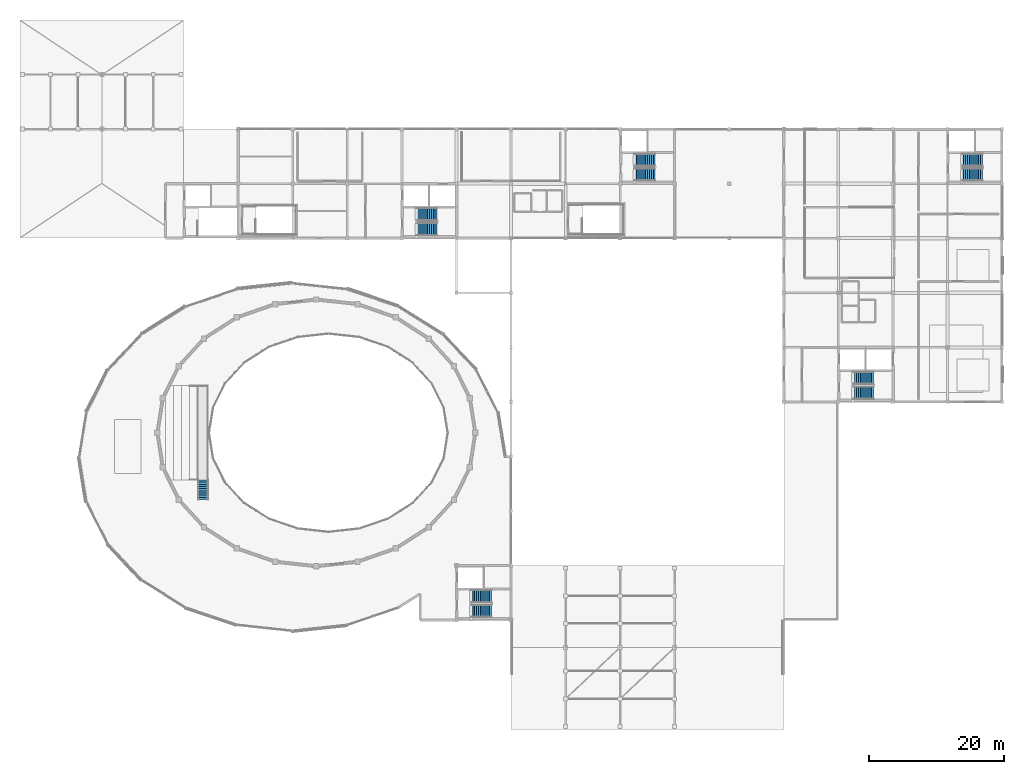
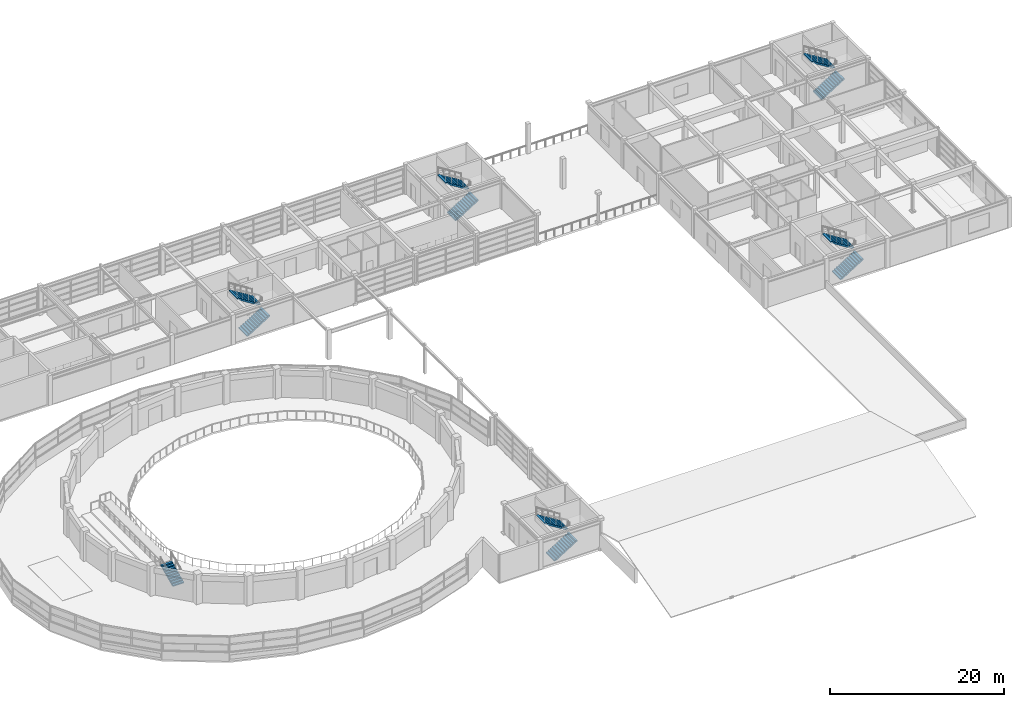
# One storey, part 46 of 54: 11 stair flights, 6 elements without a shape of their own.
"""IFC4 building model written with IfcOpenShell, lengths in metres."""

import ifcopenshell
import ifcopenshell.guid

model = None  # the IFC model being written
_history = None  # IfcOwnerHistory: only IFC2X3 demands one
_inside = {}  # id of a spatial element -> (the spatial element, [elements in it])
_under = {}  # id of a project, library or spatial element -> (it, [spatial elements below it])
_declared = {}  # id of a project -> (the project, [libraries it declares])
_typed = {}  # id of a type object -> (the type object, [elements of that type])
_made_of = {}  # id of a material, layer set ... -> (it, [elements and type objects made of it])


def new_model(schema):
    """Start an empty IFC model of exactly this schema.

    Asked for "IFC4X3", IfcOpenShell would pick the latest addendum, in which some entities
    have other attributes; the version numbers below select the first issue.
    IFC2X3 requires an IfcOwnerHistory on every rooted entity: one is made here for all.
    """
    global model, _history
    if schema == "IFC4X3":
        model = ifcopenshell.file(schema_version=(4, 3, 0, 0))
    else:
        model = ifcopenshell.file(schema=schema)
    _inside.clear()
    _under.clear()
    _declared.clear()
    _typed.clear()
    _made_of.clear()
    _history = None
    if model.schema == "IFC2X3":
        org = make("IfcOrganization", Name="unknown")
        user = make(
            "IfcPersonAndOrganization",
            ThePerson=make("IfcPerson", FamilyName="unknown"),
            TheOrganization=org,
        )
        app = make(
            "IfcApplication",
            ApplicationDeveloper=org,
            Version="unknown",
            ApplicationFullName="unknown",
            ApplicationIdentifier="unknown",
        )
        _history = make(
            "IfcOwnerHistory",
            OwningUser=user,
            OwningApplication=app,
            ChangeAction="ADDED",
            CreationDate=0,
        )
    return model


def make(cls, **values):
    """One entity of the class cls with the attributes given. An attribute that is None is left unset."""
    return model.create_entity(
        cls, **{name: value for name, value in values.items() if value is not None}
    )


def rooted(cls, **values):
    """An entity with a GlobalId (a new one), such as an element, a storey or a relation."""
    return make(cls, GlobalId=ifcopenshell.guid.new(), OwnerHistory=_history, **values)


def si_unit(unit_type, name, prefix=None):
    """IfcSIUnit, for example si_unit("LENGTHUNIT", "METRE", prefix="MILLI")."""
    return make("IfcSIUnit", UnitType=unit_type, Prefix=prefix, Name=name)


def assignment(units):
    """IfcUnitAssignment: the units of a project."""
    return None if units is None else make("IfcUnitAssignment", Units=units)


def point(xyz):
    """IfcCartesianPoint."""
    return None if xyz is None else make("IfcCartesianPoint", Coordinates=xyz)


def direction(xyz):
    """IfcDirection."""
    return None if xyz is None else make("IfcDirection", DirectionRatios=xyz)


def frame(location, z_axis=None, x_axis=None):
    """IfcAxis2Placement3D, a coordinate frame: its origin and axes. An axis left out is left unset."""
    return make(
        "IfcAxis2Placement3D",
        Location=point(location),
        Axis=direction(z_axis),
        RefDirection=direction(x_axis),
    )


def origin():
    """The frame at (0, 0, 0) with its axes left unset."""
    return frame((0.0, 0.0, 0.0))


def place(relative_to, where):
    """IfcLocalPlacement: puts the frame where relative to a parent placement (None: the world)."""
    return make(
        "IfcLocalPlacement", PlacementRelTo=relative_to, RelativePlacement=where
    )


def context(
    kind, dimensions, precision=None, world=None, true_north=None, identifier=None
):
    """IfcGeometricRepresentationContext, for example the 3D "Model" context."""
    return make(
        "IfcGeometricRepresentationContext",
        ContextIdentifier=identifier,
        ContextType=kind,
        CoordinateSpaceDimension=dimensions,
        Precision=precision,
        WorldCoordinateSystem=world,
        TrueNorth=true_north,
    )


def subcontext(parent, identifier, kind, view, scale=None):
    """IfcGeometricRepresentationSubContext, for example "Body" below "Model"."""
    return make(
        "IfcGeometricRepresentationSubContext",
        ContextIdentifier=identifier,
        ContextType=kind,
        ParentContext=parent,
        TargetScale=scale,
        TargetView=view,
    )


def project(units=None, contexts=None):
    """IfcProject with its units and contexts."""
    return rooted(
        "IfcProject",
        Name="project",
        RepresentationContexts=contexts,
        UnitsInContext=assignment(units),
    )


def spatial(cls, under=None, at=None, **own):
    """A site, building, storey or space (cls), placed at a placement, below another one or the project."""
    s = rooted(cls, ObjectPlacement=at, **own)
    if under is not None:
        _under.setdefault(under.id(), (under, []))[1].append(s)
    return s


def polyline(points):
    """IfcPolyline through the points."""
    return make("IfcPolyline", Points=[point(p) for p in points])


def outline(outer, holes=None, kind="AREA"):
    """IfcArbitraryClosedProfileDef: a profile drawn as a closed curve; with holes, ...WithVoids."""
    if holes is None:
        return make("IfcArbitraryClosedProfileDef", ProfileType=kind, OuterCurve=outer)
    return make(
        "IfcArbitraryProfileDefWithVoids",
        ProfileType=kind,
        OuterCurve=outer,
        InnerCurves=holes,
    )


def extrude(swept, where, along, depth):
    """IfcExtrudedAreaSolid: the profile swept, set in the frame where, extruded along a direction by depth."""
    return make(
        "IfcExtrudedAreaSolid",
        SweptArea=swept,
        Position=where,
        ExtrudedDirection=direction(along),
        Depth=depth,
    )


def shape(context_of_items, identifier, shape_type, items):
    """IfcShapeRepresentation: the items that make up one representation, for example the "Body"."""
    return make(
        "IfcShapeRepresentation",
        ContextOfItems=context_of_items,
        RepresentationIdentifier=identifier,
        RepresentationType=shape_type,
        Items=items,
    )


def material(Name=None, Category=None):
    """IfcMaterial."""
    return make("IfcMaterial", Name=Name, Category=Category)


def made_of(thing, what):
    """Note that an element or type object is made of a material, layer set ...; save() writes the relation."""
    if what is not None:
        _made_of.setdefault(what.id(), (what, []))[1].append(thing)
    return thing


def type_object(cls, material=None, **own):
    """A type object (cls), such as IfcWallType, which elements share."""
    return made_of(rooted(cls, **own), material)


def element(
    cls,
    number,
    at=None,
    inside=None,
    cuts=None,
    type_object=None,
    material=None,
    context=None,
    identifier="Body",
    shape_type=None,
    held_by="IfcProductDefinitionShape",
    body=None,
    shapes=None,
    **own,
):
    """One element of the class cls, such as IfcWall. Its Tag is "e" and its number.

    at: its placement. inside: the storey or other place that contains it. cuts: it is an
    opening in that element (IfcRelVoidsElement). A single representation is given by context,
    identifier, shape_type and body (its items); several are given by shapes. held_by: the class
    of the entity that holds the representations. save() writes the other relations.
    """
    e = rooted(cls, Tag="e%d" % number, ObjectPlacement=at, **own)
    if body is not None:
        shapes = [shape(context, identifier, shape_type, body)]
    if shapes is not None:
        e.Representation = make(held_by, Representations=shapes)
    if inside is not None:
        _inside.setdefault(inside.id(), (inside, []))[1].append(e)
    if cuts is not None:
        rooted(
            "IfcRelVoidsElement", RelatingBuildingElement=cuts, RelatedOpeningElement=e
        )
    if type_object is not None:
        _typed.setdefault(type_object.id(), (type_object, []))[1].append(e)
    return made_of(e, material)


def aggregate(whole, parts):
    """IfcRelAggregates: a whole, such as a stair, and the parts it consists of."""
    return rooted("IfcRelAggregates", RelatingObject=whole, RelatedObjects=parts)


def save(model, path):
    """Write the relations noted so far, then the file.

    IfcRelAggregates (storeys below a building ...), IfcRelContainedInSpatialStructure (elements
    in a storey), IfcRelDefinesByType, IfcRelAssociatesMaterial and IfcRelDeclares: one each for
    every whole, place, type object, material and project.
    """
    for whole, parts in _under.values():
        aggregate(whole, parts)
    for where, things in _inside.values():
        rooted(
            "IfcRelContainedInSpatialStructure",
            RelatedElements=things,
            RelatingStructure=where,
        )
    for kind, things in _typed.values():
        rooted("IfcRelDefinesByType", RelatedObjects=things, RelatingType=kind)
    for what, things in _made_of.values():
        rooted("IfcRelAssociatesMaterial", RelatedObjects=things, RelatingMaterial=what)
    for by, libraries in _declared.values():
        rooted("IfcRelDeclares", RelatingContext=by, RelatedDefinitions=libraries)
    model.write(path)


model = new_model("IFC4")

# Units and contexts
model_context = context("Model", 3, precision=1e-05, world=origin(), true_north=direction((0.0, 1.0)))
body_context = subcontext(model_context, "Body", "Model", "MODEL_VIEW")
ifc_project = project(units=[si_unit("LENGTHUNIT", "METRE"), si_unit("AREAUNIT", "SQUARE_METRE"), si_unit("VOLUMEUNIT", "CUBIC_METRE"), si_unit("PLANEANGLEUNIT", "RADIAN"), si_unit("MASSUNIT", "GRAM", prefix="KILO")], contexts=[model_context])

# Site, building, storey
site_placement = place(None, origin())
site = spatial("IfcSite", under=ifc_project, at=site_placement, CompositionType="ELEMENT")
building_placement = place(site_placement, origin())
building = spatial("IfcBuilding", under=site, at=building_placement, Name="Parian Resonance Hall", CompositionType="ELEMENT")
storey_placement = place(building_placement, frame((0.0, 0.0, 15.0)))
storey = spatial("IfcBuildingStorey", under=building, at=storey_placement, Name="L03", CompositionType="ELEMENT", Elevation=15.0)

# Stair, stair flight
ifc_material_1 = material(Name="Concrete C40/50", Category="concrete")
stair_type_1 = type_object("IfcStairType", Name="STAIR-TIER-1480", PredefinedType="STRAIGHT_RUN_STAIR", material=ifc_material_1)
stair_1_placement = place(storey_placement, origin())
stair_1 = element("IfcStair", 1, at=stair_1_placement, inside=storey, type_object=stair_type_1, Name="Auditorium stepped aisle stair ST-T06", PredefinedType="STRAIGHT_RUN_STAIR")
ifc_material_2 = material(Name="Concrete C40/50", Category="concrete")
stair_flight_type_1 = type_object("IfcStairFlightType", Name="FLIGHT-1480", PredefinedType="STRAIGHT", material=ifc_material_2)
stair_flight_1_placement = place(storey_placement, frame((27.179931640625, 34.1201171875, 0.0), z_axis=(0.0, 0.0, 1.0), x_axis=(0.0, 1.0, 0.0)))
stair_flight_1 = element("IfcStairFlight", 2, at=stair_flight_1_placement, type_object=stair_flight_type_1, Name="STT-148 flight 1", NumberOfRisers=10, NumberOfTreads=9, PredefinedType="STRAIGHT", RiserHeight=0.15, TreadLength=0.32, context=body_context, shape_type="SweptSolid", body=[
    extrude(outline(polyline([(0.0, 0.0), (0.0, 0.14990234375), (0.320068359375, 0.14990234375), (0.320068359375, 0.300048828125), (0.639892578125, 0.300048828125), (0.639892578125, 0.449951171875), (0.9599609375, 0.449951171875), (0.9599609375, 0.60009765625), (1.280029296875, 0.60009765625), (1.280029296875, 0.75), (1.60009765625, 0.75), (1.60009765625, 0.89990234375), (1.919921875, 0.89990234375), (1.919921875, 1.050048828125), (2.239990234375, 1.050048828125), (2.239990234375, 1.199951171875), (2.56005859375, 1.199951171875), (2.56005859375, 1.35009765625), (2.8798828125, 1.35009765625), (2.8798828125, 1.5), (2.8798828125, 1.184326171875), (0.353271484375, 0.0), (0.0, 0.0)])), frame((0.0, 0.739990234375, 0.0), z_axis=(0.0, -1.0, 0.0), x_axis=(1.0, 0.0, 0.0)), (0.0, 0.0, 1.0), 1.47998046875),
])
aggregate(stair_1, [stair_flight_1])

# Stair, stair flights
ifc_material_3 = material(Name="Concrete C40/50", Category="concrete")
stair_type_2 = type_object("IfcStairType", Name="STAIR-CORE-1800", PredefinedType="HALF_TURN_STAIR", material=ifc_material_3)
stair_2_placement = place(storey_placement, origin())
stair_2 = element("IfcStair", 3, at=stair_2_placement, inside=storey, type_object=stair_type_2, Name="L03 ST-05", PredefinedType="HALF_TURN_STAIR")
ifc_material_4 = material(Name="Concrete C40/50", Category="concrete")
stair_flight_type_2 = type_object("IfcStairFlightType", Name="FLIGHT-1800", PredefinedType="STRAIGHT", material=ifc_material_4)
stair_flight_2_placement = place(storey_placement, frame((91.219970703125, 82.340087890625, 0.0), z_axis=(0.0, 0.0, 1.0), x_axis=(1.0, 0.0, 0.0)))
stair_flight_2 = element("IfcStairFlight", 4, at=stair_flight_2_placement, type_object=stair_flight_type_2, Name="ST-05 flight 1", NumberOfRisers=12, NumberOfTreads=11, PredefinedType="STRAIGHT", RiserHeight=0.175, TreadLength=0.28, context=body_context, shape_type="SweptSolid", body=[
    extrude(outline(polyline([(0.0, 0.0), (0.0, 0.175048828125), (0.280029296875, 0.175048828125), (0.280029296875, 0.35009765625), (0.56005859375, 0.35009765625), (0.56005859375, 0.52490234375), (0.840087890625, 0.52490234375), (0.840087890625, 0.699951171875), (1.1201171875, 0.699951171875), (1.1201171875, 0.875), (1.39990234375, 0.875), (1.39990234375, 1.050048828125), (1.679931640625, 1.050048828125), (1.679931640625, 1.22509765625), (1.9599609375, 1.22509765625), (1.9599609375, 1.39990234375), (2.239990234375, 1.39990234375), (2.239990234375, 1.574951171875), (2.52001953125, 1.574951171875), (2.52001953125, 1.75), (2.800048828125, 1.75), (2.800048828125, 1.925048828125), (3.080078125, 1.925048828125), (3.080078125, 2.10009765625), (3.080078125, 1.748291015625), (0.28271484375, 0.0), (0.0, 0.0)])), frame((0.0, 0.93994140625, 0.0), z_axis=(0.0, -1.0, 0.0), x_axis=(1.0, 0.0, 0.0)), (0.0, 0.0, 1.0), 1.8798828125),
])
stair_flight_3_placement = place(storey_placement, frame((94.300048828125, 84.52001953125, 2.10009765625), z_axis=(0.0, 0.0, 1.0), x_axis=(-1.0, 0.0, 0.0)))
stair_flight_3 = element("IfcStairFlight", 5, at=stair_flight_3_placement, type_object=stair_flight_type_2, Name="ST-05 flight 2", NumberOfRisers=12, NumberOfTreads=11, PredefinedType="STRAIGHT", RiserHeight=0.175, TreadLength=0.28, context=body_context, shape_type="SweptSolid", body=[
    extrude(outline(polyline([(0.0, 0.0), (0.0, 0.175048828125), (0.280029296875, 0.175048828125), (0.280029296875, 0.35009765625), (0.56005859375, 0.35009765625), (0.56005859375, 0.52490234375), (0.840087890625, 0.52490234375), (0.840087890625, 0.699951171875), (1.1201171875, 0.699951171875), (1.1201171875, 0.875), (1.39990234375, 0.875), (1.39990234375, 1.050048828125), (1.679931640625, 1.050048828125), (1.679931640625, 1.22509765625), (1.9599609375, 1.22509765625), (1.9599609375, 1.39990234375), (2.239990234375, 1.39990234375), (2.239990234375, 1.574951171875), (2.52001953125, 1.574951171875), (2.52001953125, 1.75), (2.800048828125, 1.75), (2.800048828125, 1.925048828125), (3.080078125, 1.925048828125), (3.080078125, 2.10009765625), (3.080078125, 1.748291015625), (0.28271484375, 0.0), (0.0, 0.0)])), frame((0.0, 0.93994140625, 0.0), z_axis=(0.0, -1.0, 0.0), x_axis=(1.0, 0.0, 0.0)), (0.0, 0.0, 1.0), 1.8798828125),
])
aggregate(stair_2, [stair_flight_2, stair_flight_3])

stair_3_placement = place(storey_placement, origin())
stair_3 = element("IfcStair", 6, at=stair_3_placement, inside=storey, type_object=stair_type_2, Name="L03 ST-06", PredefinedType="HALF_TURN_STAIR")
stair_flight_4_placement = place(storey_placement, frame((139.820068359375, 82.340087890625, 0.0), z_axis=(0.0, 0.0, 1.0), x_axis=(1.0, 0.0, 0.0)))
stair_flight_4 = element("IfcStairFlight", 7, at=stair_flight_4_placement, type_object=stair_flight_type_2, Name="ST-06 flight 1", NumberOfRisers=12, NumberOfTreads=11, PredefinedType="STRAIGHT", RiserHeight=0.175, TreadLength=0.28, context=body_context, shape_type="SweptSolid", body=[
    extrude(outline(polyline([(0.0, 0.0), (0.0, 0.175048828125), (0.280029296875, 0.175048828125), (0.280029296875, 0.35009765625), (0.56005859375, 0.35009765625), (0.56005859375, 0.52490234375), (0.840087890625, 0.52490234375), (0.840087890625, 0.699951171875), (1.1201171875, 0.699951171875), (1.1201171875, 0.875), (1.39990234375, 0.875), (1.39990234375, 1.050048828125), (1.679931640625, 1.050048828125), (1.679931640625, 1.22509765625), (1.9599609375, 1.22509765625), (1.9599609375, 1.39990234375), (2.239990234375, 1.39990234375), (2.239990234375, 1.574951171875), (2.52001953125, 1.574951171875), (2.52001953125, 1.75), (2.800048828125, 1.75), (2.800048828125, 1.925048828125), (3.080078125, 1.925048828125), (3.080078125, 2.10009765625), (3.080078125, 1.748291015625), (0.28271484375, 0.0), (0.0, 0.0)])), frame((0.0, 0.93994140625, 0.0), z_axis=(0.0, -1.0, 0.0), x_axis=(1.0, 0.0, 0.0)), (0.0, 0.0, 1.0), 1.8798828125),
])
stair_flight_5_placement = place(storey_placement, frame((142.89990234375, 84.52001953125, 2.10009765625), z_axis=(0.0, 0.0, 1.0), x_axis=(-1.0, 0.0, 0.0)))
stair_flight_5 = element("IfcStairFlight", 8, at=stair_flight_5_placement, type_object=stair_flight_type_2, Name="ST-06 flight 2", NumberOfRisers=12, NumberOfTreads=11, PredefinedType="STRAIGHT", RiserHeight=0.175, TreadLength=0.28, context=body_context, shape_type="SweptSolid", body=[
    extrude(outline(polyline([(0.0, 0.0), (0.0, 0.175048828125), (0.280029296875, 0.175048828125), (0.280029296875, 0.35009765625), (0.56005859375, 0.35009765625), (0.56005859375, 0.52490234375), (0.840087890625, 0.52490234375), (0.840087890625, 0.699951171875), (1.1201171875, 0.699951171875), (1.1201171875, 0.875), (1.39990234375, 0.875), (1.39990234375, 1.050048828125), (1.679931640625, 1.050048828125), (1.679931640625, 1.22509765625), (1.9599609375, 1.22509765625), (1.9599609375, 1.39990234375), (2.239990234375, 1.39990234375), (2.239990234375, 1.574951171875), (2.52001953125, 1.574951171875), (2.52001953125, 1.75), (2.800048828125, 1.75), (2.800048828125, 1.925048828125), (3.080078125, 1.925048828125), (3.080078125, 2.10009765625), (3.080078125, 1.748291015625), (0.28271484375, 0.0), (0.0, 0.0)])), frame((0.0, 0.93994140625, 0.0), z_axis=(0.0, -1.0, 0.0), x_axis=(1.0, 0.0, 0.0)), (0.0, 0.0, 1.0), 1.8798828125),
])
aggregate(stair_3, [stair_flight_4, stair_flight_5])

ifc_material_5 = material(Name="Concrete C40/50", Category="concrete")
stair_type_3 = type_object("IfcStairType", Name="STAIR-CORE-1850", PredefinedType="HALF_TURN_STAIR", material=ifc_material_5)
stair_4_placement = place(storey_placement, origin())
stair_4 = element("IfcStair", 9, at=stair_4_placement, inside=storey, type_object=stair_type_3, Name="L03 ST-01", PredefinedType="HALF_TURN_STAIR")
ifc_material_6 = material(Name="Concrete C40/50", Category="concrete")
stair_flight_type_3 = type_object("IfcStairFlightType", Name="FLIGHT-1850", PredefinedType="STRAIGHT", material=ifc_material_6)
stair_flight_6_placement = place(storey_placement, frame((58.840087890625, 74.25, 0.0), z_axis=(0.0, 0.0, 1.0), x_axis=(1.0, 0.0, 0.0)))
stair_flight_6 = element("IfcStairFlight", 10, at=stair_flight_6_placement, type_object=stair_flight_type_3, Name="ST-01 flight 1", NumberOfRisers=12, NumberOfTreads=11, PredefinedType="STRAIGHT", RiserHeight=0.175, TreadLength=0.28, context=body_context, shape_type="SweptSolid", body=[
    extrude(outline(polyline([(0.0, 0.0), (0.0, 0.175048828125), (0.280029296875, 0.175048828125), (0.280029296875, 0.35009765625), (0.56005859375, 0.35009765625), (0.56005859375, 0.52490234375), (0.840087890625, 0.52490234375), (0.840087890625, 0.699951171875), (1.1201171875, 0.699951171875), (1.1201171875, 0.875), (1.39990234375, 0.875), (1.39990234375, 1.050048828125), (1.679931640625, 1.050048828125), (1.679931640625, 1.22509765625), (1.9599609375, 1.22509765625), (1.9599609375, 1.39990234375), (2.239990234375, 1.39990234375), (2.239990234375, 1.574951171875), (2.52001953125, 1.574951171875), (2.52001953125, 1.75), (2.800048828125, 1.75), (2.800048828125, 1.925048828125), (3.080078125, 1.925048828125), (3.080078125, 2.10009765625), (3.080078125, 1.748291015625), (0.28271484375, 0.0), (0.0, 0.0)])), frame((0.0, 0.949951171875, 0.0), z_axis=(0.0, -1.0, 0.0), x_axis=(1.0, 0.0, 0.0)), (0.0, 0.0, 1.0), 1.89990234375),
])
stair_flight_7_placement = place(storey_placement, frame((61.919921875, 76.449951171875, 2.10009765625), z_axis=(0.0, 0.0, 1.0), x_axis=(-1.0, 0.0, 0.0)))
stair_flight_7 = element("IfcStairFlight", 11, at=stair_flight_7_placement, type_object=stair_flight_type_3, Name="ST-01 flight 2", NumberOfRisers=12, NumberOfTreads=11, PredefinedType="STRAIGHT", RiserHeight=0.175, TreadLength=0.28, context=body_context, shape_type="SweptSolid", body=[
    extrude(outline(polyline([(0.0, 0.0), (0.0, 0.175048828125), (0.280029296875, 0.175048828125), (0.280029296875, 0.35009765625), (0.56005859375, 0.35009765625), (0.56005859375, 0.52490234375), (0.840087890625, 0.52490234375), (0.840087890625, 0.699951171875), (1.1201171875, 0.699951171875), (1.1201171875, 0.875), (1.39990234375, 0.875), (1.39990234375, 1.050048828125), (1.679931640625, 1.050048828125), (1.679931640625, 1.22509765625), (1.9599609375, 1.22509765625), (1.9599609375, 1.39990234375), (2.239990234375, 1.39990234375), (2.239990234375, 1.574951171875), (2.52001953125, 1.574951171875), (2.52001953125, 1.75), (2.800048828125, 1.75), (2.800048828125, 1.925048828125), (3.080078125, 1.925048828125), (3.080078125, 2.10009765625), (3.080078125, 1.748291015625), (0.28271484375, 0.0), (0.0, 0.0)])), frame((0.0, 0.949951171875, 0.0), z_axis=(0.0, -1.0, 0.0), x_axis=(1.0, 0.0, 0.0)), (0.0, 0.0, 1.0), 1.89990234375),
])
aggregate(stair_4, [stair_flight_6, stair_flight_7])

stair_5_placement = place(storey_placement, origin())
stair_5 = element("IfcStair", 12, at=stair_5_placement, inside=storey, type_object=stair_type_3, Name="L03 ST-02", PredefinedType="HALF_TURN_STAIR")
stair_flight_8_placement = place(storey_placement, frame((123.639892578125, 49.949951171875, 0.0), z_axis=(0.0, 0.0, 1.0), x_axis=(1.0, 0.0, 0.0)))
stair_flight_8 = element("IfcStairFlight", 13, at=stair_flight_8_placement, type_object=stair_flight_type_3, Name="ST-02 flight 1", NumberOfRisers=12, NumberOfTreads=11, PredefinedType="STRAIGHT", RiserHeight=0.175, TreadLength=0.28, context=body_context, shape_type="SweptSolid", body=[
    extrude(outline(polyline([(0.0, 0.0), (0.0, 0.175048828125), (0.280029296875, 0.175048828125), (0.280029296875, 0.35009765625), (0.56005859375, 0.35009765625), (0.56005859375, 0.52490234375), (0.840087890625, 0.52490234375), (0.840087890625, 0.699951171875), (1.1201171875, 0.699951171875), (1.1201171875, 0.875), (1.39990234375, 0.875), (1.39990234375, 1.050048828125), (1.679931640625, 1.050048828125), (1.679931640625, 1.22509765625), (1.9599609375, 1.22509765625), (1.9599609375, 1.39990234375), (2.239990234375, 1.39990234375), (2.239990234375, 1.574951171875), (2.52001953125, 1.574951171875), (2.52001953125, 1.75), (2.800048828125, 1.75), (2.800048828125, 1.925048828125), (3.080078125, 1.925048828125), (3.080078125, 2.10009765625), (3.080078125, 1.748291015625), (0.28271484375, 0.0), (0.0, 0.0)])), frame((0.0, 0.949951171875, 0.0), z_axis=(0.0, -1.0, 0.0), x_axis=(1.0, 0.0, 0.0)), (0.0, 0.0, 1.0), 1.89990234375),
])
stair_flight_9_placement = place(storey_placement, frame((126.719970703125, 52.14990234375, 2.10009765625), z_axis=(0.0, 0.0, 1.0), x_axis=(-1.0, 0.0, 0.0)))
stair_flight_9 = element("IfcStairFlight", 14, at=stair_flight_9_placement, type_object=stair_flight_type_3, Name="ST-02 flight 2", NumberOfRisers=12, NumberOfTreads=11, PredefinedType="STRAIGHT", RiserHeight=0.175, TreadLength=0.28, context=body_context, shape_type="SweptSolid", body=[
    extrude(outline(polyline([(0.0, 0.0), (0.0, 0.175048828125), (0.280029296875, 0.175048828125), (0.280029296875, 0.35009765625), (0.56005859375, 0.35009765625), (0.56005859375, 0.52490234375), (0.840087890625, 0.52490234375), (0.840087890625, 0.699951171875), (1.1201171875, 0.699951171875), (1.1201171875, 0.875), (1.39990234375, 0.875), (1.39990234375, 1.050048828125), (1.679931640625, 1.050048828125), (1.679931640625, 1.22509765625), (1.9599609375, 1.22509765625), (1.9599609375, 1.39990234375), (2.239990234375, 1.39990234375), (2.239990234375, 1.574951171875), (2.52001953125, 1.574951171875), (2.52001953125, 1.75), (2.800048828125, 1.75), (2.800048828125, 1.925048828125), (3.080078125, 1.925048828125), (3.080078125, 2.10009765625), (3.080078125, 1.748291015625), (0.28271484375, 0.0), (0.0, 0.0)])), frame((0.0, 0.949951171875, 0.0), z_axis=(0.0, -1.0, 0.0), x_axis=(1.0, 0.0, 0.0)), (0.0, 0.0, 1.0), 1.89990234375),
])
aggregate(stair_5, [stair_flight_8, stair_flight_9])

stair_6_placement = place(storey_placement, origin())
stair_6 = element("IfcStair", 15, at=stair_6_placement, inside=storey, type_object=stair_type_3, Name="L03 ST-03", PredefinedType="HALF_TURN_STAIR")
stair_flight_10_placement = place(storey_placement, frame((66.93994140625, 17.550048828125, 0.0), z_axis=(0.0, 0.0, 1.0), x_axis=(1.0, 0.0, 0.0)))
stair_flight_10 = element("IfcStairFlight", 16, at=stair_flight_10_placement, type_object=stair_flight_type_3, Name="ST-03 flight 1", NumberOfRisers=12, NumberOfTreads=11, PredefinedType="STRAIGHT", RiserHeight=0.175, TreadLength=0.28, context=body_context, shape_type="SweptSolid", body=[
    extrude(outline(polyline([(0.0, 0.0), (0.0, 0.175048828125), (0.280029296875, 0.175048828125), (0.280029296875, 0.35009765625), (0.56005859375, 0.35009765625), (0.56005859375, 0.52490234375), (0.840087890625, 0.52490234375), (0.840087890625, 0.699951171875), (1.1201171875, 0.699951171875), (1.1201171875, 0.875), (1.39990234375, 0.875), (1.39990234375, 1.050048828125), (1.679931640625, 1.050048828125), (1.679931640625, 1.22509765625), (1.9599609375, 1.22509765625), (1.9599609375, 1.39990234375), (2.239990234375, 1.39990234375), (2.239990234375, 1.574951171875), (2.52001953125, 1.574951171875), (2.52001953125, 1.75), (2.800048828125, 1.75), (2.800048828125, 1.925048828125), (3.080078125, 1.925048828125), (3.080078125, 2.10009765625), (3.080078125, 1.748291015625), (0.28271484375, 0.0), (0.0, 0.0)])), frame((0.0, 0.949951171875, 0.0), z_axis=(0.0, -1.0, 0.0), x_axis=(1.0, 0.0, 0.0)), (0.0, 0.0, 1.0), 1.89990234375),
])
stair_flight_11_placement = place(storey_placement, frame((70.02001953125, 19.75, 2.10009765625), z_axis=(0.0, 0.0, 1.0), x_axis=(-1.0, 0.0, 0.0)))
stair_flight_11 = element("IfcStairFlight", 17, at=stair_flight_11_placement, type_object=stair_flight_type_3, Name="ST-03 flight 2", NumberOfRisers=12, NumberOfTreads=11, PredefinedType="STRAIGHT", RiserHeight=0.175, TreadLength=0.28, context=body_context, shape_type="SweptSolid", body=[
    extrude(outline(polyline([(0.0, 0.0), (0.0, 0.175048828125), (0.280029296875, 0.175048828125), (0.280029296875, 0.35009765625), (0.56005859375, 0.35009765625), (0.56005859375, 0.52490234375), (0.840087890625, 0.52490234375), (0.840087890625, 0.699951171875), (1.1201171875, 0.699951171875), (1.1201171875, 0.875), (1.39990234375, 0.875), (1.39990234375, 1.050048828125), (1.679931640625, 1.050048828125), (1.679931640625, 1.22509765625), (1.9599609375, 1.22509765625), (1.9599609375, 1.39990234375), (2.239990234375, 1.39990234375), (2.239990234375, 1.574951171875), (2.52001953125, 1.574951171875), (2.52001953125, 1.75), (2.800048828125, 1.75), (2.800048828125, 1.925048828125), (3.080078125, 1.925048828125), (3.080078125, 2.10009765625), (3.080078125, 1.748291015625), (0.28271484375, 0.0), (0.0, 0.0)])), frame((0.0, 0.949951171875, 0.0), z_axis=(0.0, -1.0, 0.0), x_axis=(1.0, 0.0, 0.0)), (0.0, 0.0, 1.0), 1.89990234375),
])
aggregate(stair_6, [stair_flight_10, stair_flight_11])

save(model, "model.ifc")
